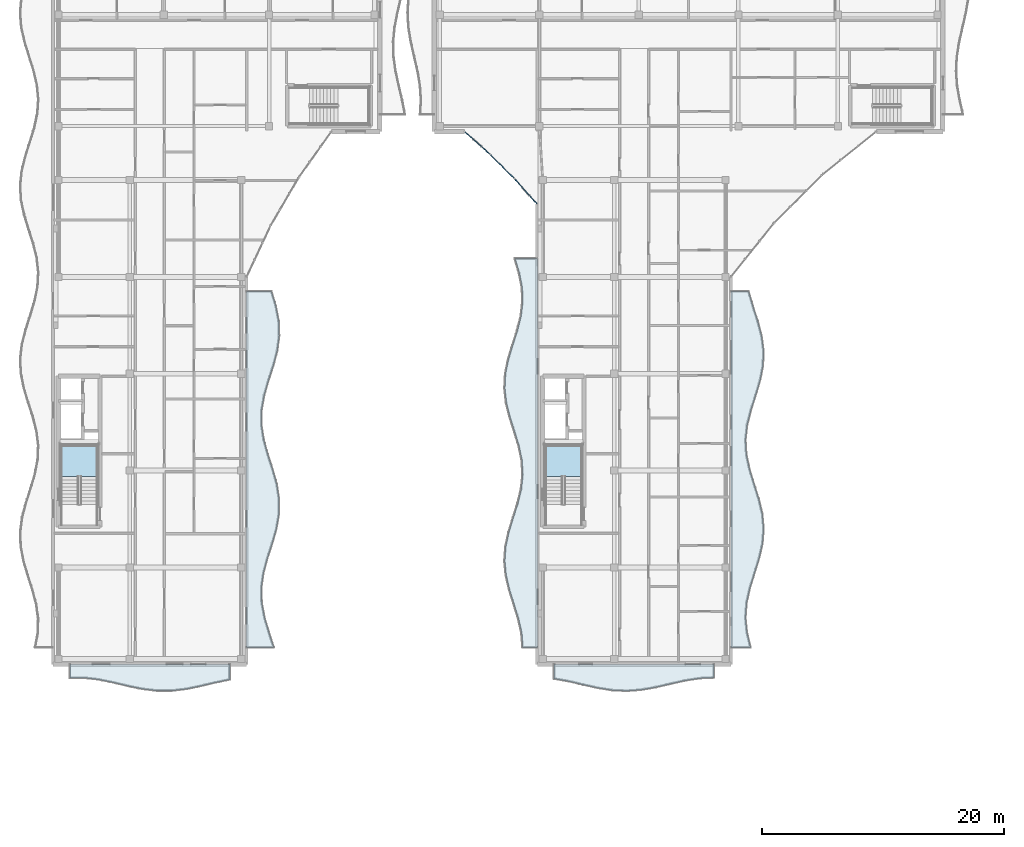
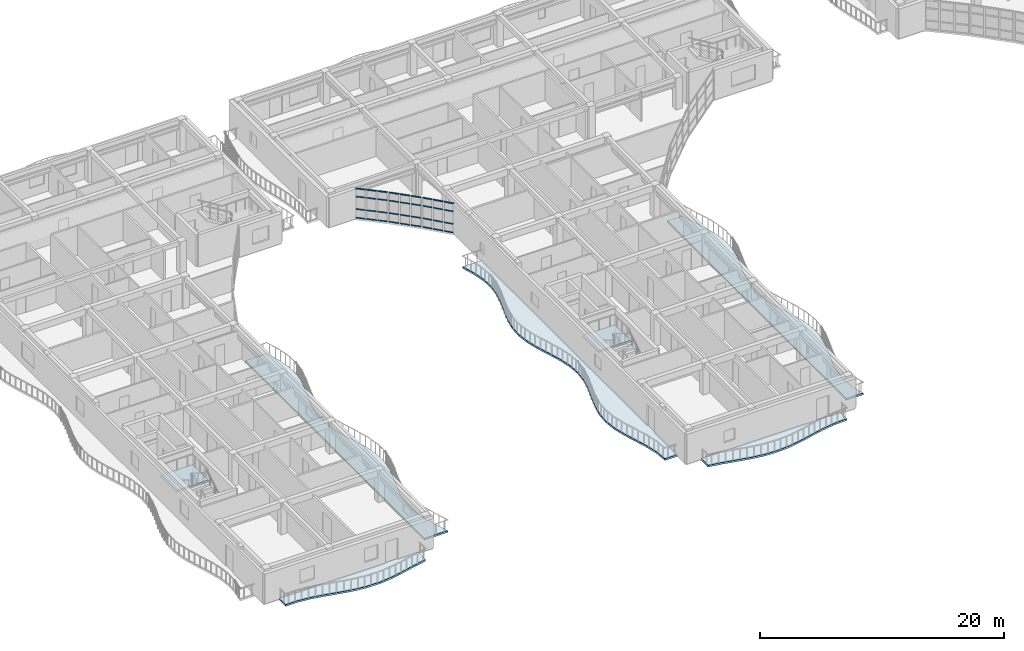
# One storey, part 28 of 79: 36 members, 7 slabs, 5 elements without a shape of their own.
"""IFC4 building model written with IfcOpenShell, lengths in metres."""

from ifc_helpers import new_model, si_unit, direction, frame, origin, origin_2d, place, context, subcontext, project, spatial, polyline, hollow_rectangle, outline, extrude, material, layer, layer_set, material_profile, profile_set, type_object, element, aggregate, save


model = new_model("IFC4")

# Units and contexts
model_context = context("Model", 3, precision=1e-05, world=origin(), true_north=direction((0.0, 1.0)))
body_context = subcontext(model_context, "Body", "Model", "MODEL_VIEW")
ifc_project = project(units=[si_unit("LENGTHUNIT", "METRE"), si_unit("AREAUNIT", "SQUARE_METRE"), si_unit("VOLUMEUNIT", "CUBIC_METRE"), si_unit("PLANEANGLEUNIT", "RADIAN"), si_unit("MASSUNIT", "GRAM", prefix="KILO")], contexts=[model_context])

# Site, building, storey
site_placement = place(None, origin())
site = spatial("IfcSite", under=ifc_project, at=site_placement, CompositionType="ELEMENT")
building_placement = place(site_placement, origin())
building = spatial("IfcBuilding", under=site, at=building_placement, Name="Keldmere Railside Commons", CompositionType="ELEMENT")
storey_placement = place(building_placement, frame((0.0, 0.0, 10.56005859375)))
storey = spatial("IfcBuildingStorey", under=building, at=storey_placement, Name="L03", CompositionType="ELEMENT", Elevation=10.56005859375)

# Curtain wall, members
ifc_material_1 = material(Name="Thermally Broken Aluminium", Category="aluminium")
ifc_layer_1 = layer(ifc_material_1, 0.159912109375, Name="Court Chord Wintergarden CW 4800x2850")
ifc_layer_set_1 = layer_set([ifc_layer_1], Name="Thermally Broken Aluminium")
curtain_wall_type_1 = type_object("IfcCurtainWallType", Name="Court Chord Wintergarden CW 4800x2850", PredefinedType="NOTDEFINED", material=ifc_layer_set_1)
curtain_wall_1_placement = place(storey_placement, origin())
curtain_wall_1 = element("IfcCurtainWall", 1, at=curtain_wall_1_placement, inside=storey, type_object=curtain_wall_type_1, Name="CW-12 CW-L03-046", PredefinedType="NOTDEFINED")
ifc_material_profile = material_profile(ifc_material_1, hollow_rectangle(XDim=0.06494140625, YDim=0.1201171875, WallThickness=0.00390625, at=origin_2d()), Name="ALU-TRAN-65x120")
ifc_profile_set = profile_set([ifc_material_profile], Name="Thermally Broken Aluminium")
member_type = type_object("IfcMemberType", Name="Unitised Curtain Wall Transom 65x120", PredefinedType="USERDEFINED", material=ifc_profile_set)
member_1_placement = place(storey_placement, frame((44.0595703125, 98.1533203125, 0.032470703125), z_axis=(-0.744569440646, 0.667545015752, 0.0), x_axis=(-0.667545015752, -0.744569440646, 0.0)))
member_1 = element("IfcMember", 2, at=member_1_placement, type_object=member_type, Name="CW-12 transom 1.1", ObjectType="TRANSOM", PredefinedType="USERDEFINED", context=body_context, shape_type="SweptSolid", body=[
    extrude(hollow_rectangle(XDim=0.06494140625, YDim=0.1201171875, WallThickness=0.00390625, at=origin_2d()), origin(), (0.0, 0.0, 1.0), 0.84619140625),
])
member_2_placement = place(storey_placement, frame((44.0595703125, 98.1533203125, 0.89990234375), z_axis=(-0.744569440646, 0.667545015752, 0.0), x_axis=(-0.667545015752, -0.744569440646, 0.0)))
member_2 = element("IfcMember", 3, at=member_2_placement, type_object=member_type, Name="CW-12 transom 1.2", ObjectType="TRANSOM", PredefinedType="USERDEFINED", context=body_context, shape_type="SweptSolid", body=[
    extrude(hollow_rectangle(XDim=0.06494140625, YDim=0.1201171875, WallThickness=0.00390625, at=origin_2d()), origin(), (0.0, 0.0, 1.0), 0.84619140625),
])
member_3_placement = place(storey_placement, frame((44.0595703125, 98.1533203125, 2.14990234375), z_axis=(-0.744569440646, 0.667545015752, 0.0), x_axis=(-0.667545015752, -0.744569440646, 0.0)))
member_3 = element("IfcMember", 4, at=member_3_placement, type_object=member_type, Name="CW-12 transom 1.3", ObjectType="TRANSOM", PredefinedType="USERDEFINED", context=body_context, shape_type="SweptSolid", body=[
    extrude(hollow_rectangle(XDim=0.06494140625, YDim=0.1201171875, WallThickness=0.00390625, at=origin_2d()), origin(), (0.0, 0.0, 1.0), 0.84619140625),
])
member_4_placement = place(storey_placement, frame((44.0595703125, 98.1533203125, 2.947509765625), z_axis=(-0.744569440646, 0.667545015752, 0.0), x_axis=(-0.667545015752, -0.744569440646, 0.0)))
member_4 = element("IfcMember", 5, at=member_4_placement, type_object=member_type, Name="CW-12 transom 1.4", ObjectType="TRANSOM", PredefinedType="USERDEFINED", context=body_context, shape_type="SweptSolid", body=[
    extrude(hollow_rectangle(XDim=0.06494140625, YDim=0.1201171875, WallThickness=0.00390625, at=origin_2d()), origin(), (0.0, 0.0, 1.0), 0.84619140625),
])
member_5_placement = place(storey_placement, frame((43.381103515625, 98.76171875, 0.032470703125), z_axis=(-0.744536109606, 0.667582190815, 0.0), x_axis=(-0.667582190815, -0.744536109606, 0.0)))
member_5 = element("IfcMember", 6, at=member_5_placement, type_object=member_type, Name="CW-12 transom 2.1", ObjectType="TRANSOM", PredefinedType="USERDEFINED", context=body_context, shape_type="SweptSolid", body=[
    extrude(hollow_rectangle(XDim=0.06494140625, YDim=0.1201171875, WallThickness=0.00390625, at=origin_2d()), origin(), (0.0, 0.0, 1.0), 0.87890625),
])
member_6_placement = place(storey_placement, frame((43.381103515625, 98.76171875, 0.89990234375), z_axis=(-0.744536109606, 0.667582190815, 0.0), x_axis=(-0.667582190815, -0.744536109606, 0.0)))
member_6 = element("IfcMember", 7, at=member_6_placement, type_object=member_type, Name="CW-12 transom 2.2", ObjectType="TRANSOM", PredefinedType="USERDEFINED", context=body_context, shape_type="SweptSolid", body=[
    extrude(hollow_rectangle(XDim=0.06494140625, YDim=0.1201171875, WallThickness=0.00390625, at=origin_2d()), origin(), (0.0, 0.0, 1.0), 0.87890625),
])
member_7_placement = place(storey_placement, frame((43.381103515625, 98.76171875, 2.14990234375), z_axis=(-0.744536109606, 0.667582190815, 0.0), x_axis=(-0.667582190815, -0.744536109606, 0.0)))
member_7 = element("IfcMember", 8, at=member_7_placement, type_object=member_type, Name="CW-12 transom 2.3", ObjectType="TRANSOM", PredefinedType="USERDEFINED", context=body_context, shape_type="SweptSolid", body=[
    extrude(hollow_rectangle(XDim=0.06494140625, YDim=0.1201171875, WallThickness=0.00390625, at=origin_2d()), origin(), (0.0, 0.0, 1.0), 0.87890625),
])
member_8_placement = place(storey_placement, frame((43.381103515625, 98.76171875, 2.947509765625), z_axis=(-0.744536109606, 0.667582190815, 0.0), x_axis=(-0.667582190815, -0.744536109606, 0.0)))
member_8 = element("IfcMember", 9, at=member_8_placement, type_object=member_type, Name="CW-12 transom 2.4", ObjectType="TRANSOM", PredefinedType="USERDEFINED", context=body_context, shape_type="SweptSolid", body=[
    extrude(hollow_rectangle(XDim=0.06494140625, YDim=0.1201171875, WallThickness=0.00390625, at=origin_2d()), origin(), (0.0, 0.0, 1.0), 0.87890625),
])
member_9_placement = place(storey_placement, frame((42.678466796875, 99.3916015625, 0.032470703125), z_axis=(-0.744569440646, 0.667545015752, 0.0), x_axis=(-0.667545015752, -0.744569440646, 0.0)))
member_9 = element("IfcMember", 10, at=member_9_placement, type_object=member_type, Name="CW-12 transom 3.1", ObjectType="TRANSOM", PredefinedType="USERDEFINED", context=body_context, shape_type="SweptSolid", body=[
    extrude(hollow_rectangle(XDim=0.06494140625, YDim=0.1201171875, WallThickness=0.00390625, at=origin_2d()), origin(), (0.0, 0.0, 1.0), 0.84619140625),
])
member_10_placement = place(storey_placement, frame((42.678466796875, 99.3916015625, 0.89990234375), z_axis=(-0.744569440646, 0.667545015752, 0.0), x_axis=(-0.667545015752, -0.744569440646, 0.0)))
member_10 = element("IfcMember", 11, at=member_10_placement, type_object=member_type, Name="CW-12 transom 3.2", ObjectType="TRANSOM", PredefinedType="USERDEFINED", context=body_context, shape_type="SweptSolid", body=[
    extrude(hollow_rectangle(XDim=0.06494140625, YDim=0.1201171875, WallThickness=0.00390625, at=origin_2d()), origin(), (0.0, 0.0, 1.0), 0.84619140625),
])
member_11_placement = place(storey_placement, frame((42.678466796875, 99.3916015625, 2.14990234375), z_axis=(-0.744569440646, 0.667545015752, 0.0), x_axis=(-0.667545015752, -0.744569440646, 0.0)))
member_11 = element("IfcMember", 12, at=member_11_placement, type_object=member_type, Name="CW-12 transom 3.3", ObjectType="TRANSOM", PredefinedType="USERDEFINED", context=body_context, shape_type="SweptSolid", body=[
    extrude(hollow_rectangle(XDim=0.06494140625, YDim=0.1201171875, WallThickness=0.00390625, at=origin_2d()), origin(), (0.0, 0.0, 1.0), 0.84619140625),
])
member_12_placement = place(storey_placement, frame((42.678466796875, 99.3916015625, 2.947509765625), z_axis=(-0.744569440646, 0.667545015752, 0.0), x_axis=(-0.667545015752, -0.744569440646, 0.0)))
member_12 = element("IfcMember", 13, at=member_12_placement, type_object=member_type, Name="CW-12 transom 3.4", ObjectType="TRANSOM", PredefinedType="USERDEFINED", context=body_context, shape_type="SweptSolid", body=[
    extrude(hollow_rectangle(XDim=0.06494140625, YDim=0.1201171875, WallThickness=0.00390625, at=origin_2d()), origin(), (0.0, 0.0, 1.0), 0.84619140625),
])
aggregate(curtain_wall_1, [member_1, member_2, member_3, member_4, member_5, member_6, member_7, member_8, member_9, member_10, member_11, member_12])

ifc_layer_2 = layer(ifc_material_1, 0.159912109375, Name="Court Chord Wintergarden CW 5400x2850")
ifc_layer_set_2 = layer_set([ifc_layer_2], Name="Thermally Broken Aluminium")
curtain_wall_type_2 = type_object("IfcCurtainWallType", Name="Court Chord Wintergarden CW 5400x2850", PredefinedType="NOTDEFINED", material=ifc_layer_set_2)
curtain_wall_2_placement = place(storey_placement, origin())
curtain_wall_2 = element("IfcCurtainWall", 14, at=curtain_wall_2_placement, inside=storey, type_object=curtain_wall_type_2, Name="CW-13 CW-L03-047", PredefinedType="NOTDEFINED")
member_13_placement = place(storey_placement, frame((46.06396484375, 96.154052734375, 0.032470703125), z_axis=(-0.707106781187, 0.707106781187, 0.0), x_axis=(-0.707106781187, -0.707106781187, 0.0)))
member_13 = element("IfcMember", 15, at=member_13_placement, type_object=member_type, Name="CW-13 transom 1.1", ObjectType="TRANSOM", PredefinedType="USERDEFINED", context=body_context, shape_type="SweptSolid", body=[
    extrude(hollow_rectangle(XDim=0.06494140625, YDim=0.1201171875, WallThickness=0.00390625, at=origin_2d()), origin(), (0.0, 0.0, 1.0), 0.84619140625),
])
member_14_placement = place(storey_placement, frame((46.06396484375, 96.154052734375, 0.89990234375), z_axis=(-0.707106781187, 0.707106781187, 0.0), x_axis=(-0.707106781187, -0.707106781187, 0.0)))
member_14 = element("IfcMember", 16, at=member_14_placement, type_object=member_type, Name="CW-13 transom 1.2", ObjectType="TRANSOM", PredefinedType="USERDEFINED", context=body_context, shape_type="SweptSolid", body=[
    extrude(hollow_rectangle(XDim=0.06494140625, YDim=0.1201171875, WallThickness=0.00390625, at=origin_2d()), origin(), (0.0, 0.0, 1.0), 0.84619140625),
])
member_15_placement = place(storey_placement, frame((46.06396484375, 96.154052734375, 2.14990234375), z_axis=(-0.707106781187, 0.707106781187, 0.0), x_axis=(-0.707106781187, -0.707106781187, 0.0)))
member_15 = element("IfcMember", 17, at=member_15_placement, type_object=member_type, Name="CW-13 transom 1.3", ObjectType="TRANSOM", PredefinedType="USERDEFINED", context=body_context, shape_type="SweptSolid", body=[
    extrude(hollow_rectangle(XDim=0.06494140625, YDim=0.1201171875, WallThickness=0.00390625, at=origin_2d()), origin(), (0.0, 0.0, 1.0), 0.84619140625),
])
member_16_placement = place(storey_placement, frame((46.06396484375, 96.154052734375, 2.947509765625), z_axis=(-0.707106781187, 0.707106781187, 0.0), x_axis=(-0.707106781187, -0.707106781187, 0.0)))
member_16 = element("IfcMember", 18, at=member_16_placement, type_object=member_type, Name="CW-13 transom 1.4", ObjectType="TRANSOM", PredefinedType="USERDEFINED", context=body_context, shape_type="SweptSolid", body=[
    extrude(hollow_rectangle(XDim=0.06494140625, YDim=0.1201171875, WallThickness=0.00390625, at=origin_2d()), origin(), (0.0, 0.0, 1.0), 0.84619140625),
])
member_17_placement = place(storey_placement, frame((45.419677734375, 96.79833984375, 0.032470703125), z_axis=(-0.707106781187, 0.707106781187, 0.0), x_axis=(-0.707106781187, -0.707106781187, 0.0)))
member_17 = element("IfcMember", 19, at=member_17_placement, type_object=member_type, Name="CW-13 transom 2.1", ObjectType="TRANSOM", PredefinedType="USERDEFINED", context=body_context, shape_type="SweptSolid", body=[
    extrude(hollow_rectangle(XDim=0.06494140625, YDim=0.1201171875, WallThickness=0.00390625, at=origin_2d()), origin(), (0.0, 0.0, 1.0), 0.878662109375),
])
member_18_placement = place(storey_placement, frame((45.419677734375, 96.79833984375, 0.89990234375), z_axis=(-0.707106781187, 0.707106781187, 0.0), x_axis=(-0.707106781187, -0.707106781187, 0.0)))
member_18 = element("IfcMember", 20, at=member_18_placement, type_object=member_type, Name="CW-13 transom 2.2", ObjectType="TRANSOM", PredefinedType="USERDEFINED", context=body_context, shape_type="SweptSolid", body=[
    extrude(hollow_rectangle(XDim=0.06494140625, YDim=0.1201171875, WallThickness=0.00390625, at=origin_2d()), origin(), (0.0, 0.0, 1.0), 0.878662109375),
])
member_19_placement = place(storey_placement, frame((45.419677734375, 96.79833984375, 2.14990234375), z_axis=(-0.707106781187, 0.707106781187, 0.0), x_axis=(-0.707106781187, -0.707106781187, 0.0)))
member_19 = element("IfcMember", 21, at=member_19_placement, type_object=member_type, Name="CW-13 transom 2.3", ObjectType="TRANSOM", PredefinedType="USERDEFINED", context=body_context, shape_type="SweptSolid", body=[
    extrude(hollow_rectangle(XDim=0.06494140625, YDim=0.1201171875, WallThickness=0.00390625, at=origin_2d()), origin(), (0.0, 0.0, 1.0), 0.878662109375),
])
member_20_placement = place(storey_placement, frame((45.419677734375, 96.79833984375, 2.947509765625), z_axis=(-0.707106781187, 0.707106781187, 0.0), x_axis=(-0.707106781187, -0.707106781187, 0.0)))
member_20 = element("IfcMember", 22, at=member_20_placement, type_object=member_type, Name="CW-13 transom 2.4", ObjectType="TRANSOM", PredefinedType="USERDEFINED", context=body_context, shape_type="SweptSolid", body=[
    extrude(hollow_rectangle(XDim=0.06494140625, YDim=0.1201171875, WallThickness=0.00390625, at=origin_2d()), origin(), (0.0, 0.0, 1.0), 0.878662109375),
])
member_21_placement = place(storey_placement, frame((44.75244140625, 97.465576171875, 0.032470703125), z_axis=(-0.707106781187, 0.707106781187, 0.0), x_axis=(-0.707106781187, -0.707106781187, 0.0)))
member_21 = element("IfcMember", 23, at=member_21_placement, type_object=member_type, Name="CW-13 transom 3.1", ObjectType="TRANSOM", PredefinedType="USERDEFINED", context=body_context, shape_type="SweptSolid", body=[
    extrude(hollow_rectangle(XDim=0.06494140625, YDim=0.1201171875, WallThickness=0.00390625, at=origin_2d()), origin(), (0.0, 0.0, 1.0), 0.84619140625),
])
member_22_placement = place(storey_placement, frame((44.75244140625, 97.465576171875, 0.89990234375), z_axis=(-0.707106781187, 0.707106781187, 0.0), x_axis=(-0.707106781187, -0.707106781187, 0.0)))
member_22 = element("IfcMember", 24, at=member_22_placement, type_object=member_type, Name="CW-13 transom 3.2", ObjectType="TRANSOM", PredefinedType="USERDEFINED", context=body_context, shape_type="SweptSolid", body=[
    extrude(hollow_rectangle(XDim=0.06494140625, YDim=0.1201171875, WallThickness=0.00390625, at=origin_2d()), origin(), (0.0, 0.0, 1.0), 0.84619140625),
])
member_23_placement = place(storey_placement, frame((44.75244140625, 97.465576171875, 2.14990234375), z_axis=(-0.707106781187, 0.707106781187, 0.0), x_axis=(-0.707106781187, -0.707106781187, 0.0)))
member_23 = element("IfcMember", 25, at=member_23_placement, type_object=member_type, Name="CW-13 transom 3.3", ObjectType="TRANSOM", PredefinedType="USERDEFINED", context=body_context, shape_type="SweptSolid", body=[
    extrude(hollow_rectangle(XDim=0.06494140625, YDim=0.1201171875, WallThickness=0.00390625, at=origin_2d()), origin(), (0.0, 0.0, 1.0), 0.84619140625),
])
member_24_placement = place(storey_placement, frame((44.75244140625, 97.465576171875, 2.947509765625), z_axis=(-0.707106781187, 0.707106781187, 0.0), x_axis=(-0.707106781187, -0.707106781187, 0.0)))
member_24 = element("IfcMember", 26, at=member_24_placement, type_object=member_type, Name="CW-13 transom 3.4", ObjectType="TRANSOM", PredefinedType="USERDEFINED", context=body_context, shape_type="SweptSolid", body=[
    extrude(hollow_rectangle(XDim=0.06494140625, YDim=0.1201171875, WallThickness=0.00390625, at=origin_2d()), origin(), (0.0, 0.0, 1.0), 0.84619140625),
])
aggregate(curtain_wall_2, [member_13, member_14, member_15, member_16, member_17, member_18, member_19, member_20, member_21, member_22, member_23, member_24])

curtain_wall_3_placement = place(storey_placement, origin())
curtain_wall_3 = element("IfcCurtainWall", 27, at=curtain_wall_3_placement, inside=storey, type_object=curtain_wall_type_1, Name="CW-12 CW-L03-048", PredefinedType="NOTDEFINED")
member_25_placement = place(storey_placement, frame((47.95654296875, 94.04833984375, 0.032470703125), z_axis=(-0.667545015752, 0.744569440646, 0.0), x_axis=(-0.744569440646, -0.667545015752, 0.0)))
member_25 = element("IfcMember", 28, at=member_25_placement, type_object=member_type, Name="CW-12 transom 1.1", ObjectType="TRANSOM", PredefinedType="USERDEFINED", context=body_context, shape_type="SweptSolid", body=[
    extrude(hollow_rectangle(XDim=0.06494140625, YDim=0.1201171875, WallThickness=0.00390625, at=origin_2d()), origin(), (0.0, 0.0, 1.0), 0.84619140625),
])
member_26_placement = place(storey_placement, frame((47.95654296875, 94.04833984375, 0.89990234375), z_axis=(-0.667545015752, 0.744569440646, 0.0), x_axis=(-0.744569440646, -0.667545015752, 0.0)))
member_26 = element("IfcMember", 29, at=member_26_placement, type_object=member_type, Name="CW-12 transom 1.2", ObjectType="TRANSOM", PredefinedType="USERDEFINED", context=body_context, shape_type="SweptSolid", body=[
    extrude(hollow_rectangle(XDim=0.06494140625, YDim=0.1201171875, WallThickness=0.00390625, at=origin_2d()), origin(), (0.0, 0.0, 1.0), 0.84619140625),
])
member_27_placement = place(storey_placement, frame((47.95654296875, 94.04833984375, 2.14990234375), z_axis=(-0.667545015752, 0.744569440646, 0.0), x_axis=(-0.744569440646, -0.667545015752, 0.0)))
member_27 = element("IfcMember", 30, at=member_27_placement, type_object=member_type, Name="CW-12 transom 1.3", ObjectType="TRANSOM", PredefinedType="USERDEFINED", context=body_context, shape_type="SweptSolid", body=[
    extrude(hollow_rectangle(XDim=0.06494140625, YDim=0.1201171875, WallThickness=0.00390625, at=origin_2d()), origin(), (0.0, 0.0, 1.0), 0.84619140625),
])
member_28_placement = place(storey_placement, frame((47.95654296875, 94.04833984375, 2.947509765625), z_axis=(-0.667545015752, 0.744569440646, 0.0), x_axis=(-0.744569440646, -0.667545015752, 0.0)))
member_28 = element("IfcMember", 31, at=member_28_placement, type_object=member_type, Name="CW-12 transom 1.4", ObjectType="TRANSOM", PredefinedType="USERDEFINED", context=body_context, shape_type="SweptSolid", body=[
    extrude(hollow_rectangle(XDim=0.06494140625, YDim=0.1201171875, WallThickness=0.00390625, at=origin_2d()), origin(), (0.0, 0.0, 1.0), 0.84619140625),
])
member_29_placement = place(storey_placement, frame((47.348388671875, 94.726806640625, 0.032470703125), z_axis=(-0.667582190815, 0.744536109606, 0.0), x_axis=(-0.744536109606, -0.667582190815, 0.0)))
member_29 = element("IfcMember", 32, at=member_29_placement, type_object=member_type, Name="CW-12 transom 2.1", ObjectType="TRANSOM", PredefinedType="USERDEFINED", context=body_context, shape_type="SweptSolid", body=[
    extrude(hollow_rectangle(XDim=0.06494140625, YDim=0.1201171875, WallThickness=0.00390625, at=origin_2d()), origin(), (0.0, 0.0, 1.0), 0.87890625),
])
member_30_placement = place(storey_placement, frame((47.348388671875, 94.726806640625, 0.89990234375), z_axis=(-0.667582190815, 0.744536109606, 0.0), x_axis=(-0.744536109606, -0.667582190815, 0.0)))
member_30 = element("IfcMember", 33, at=member_30_placement, type_object=member_type, Name="CW-12 transom 2.2", ObjectType="TRANSOM", PredefinedType="USERDEFINED", context=body_context, shape_type="SweptSolid", body=[
    extrude(hollow_rectangle(XDim=0.06494140625, YDim=0.1201171875, WallThickness=0.00390625, at=origin_2d()), origin(), (0.0, 0.0, 1.0), 0.87890625),
])
member_31_placement = place(storey_placement, frame((47.348388671875, 94.726806640625, 2.14990234375), z_axis=(-0.667582190815, 0.744536109606, 0.0), x_axis=(-0.744536109606, -0.667582190815, 0.0)))
member_31 = element("IfcMember", 34, at=member_31_placement, type_object=member_type, Name="CW-12 transom 2.3", ObjectType="TRANSOM", PredefinedType="USERDEFINED", context=body_context, shape_type="SweptSolid", body=[
    extrude(hollow_rectangle(XDim=0.06494140625, YDim=0.1201171875, WallThickness=0.00390625, at=origin_2d()), origin(), (0.0, 0.0, 1.0), 0.87890625),
])
member_32_placement = place(storey_placement, frame((47.348388671875, 94.726806640625, 2.947509765625), z_axis=(-0.667582190815, 0.744536109606, 0.0), x_axis=(-0.744536109606, -0.667582190815, 0.0)))
member_32 = element("IfcMember", 35, at=member_32_placement, type_object=member_type, Name="CW-12 transom 2.4", ObjectType="TRANSOM", PredefinedType="USERDEFINED", context=body_context, shape_type="SweptSolid", body=[
    extrude(hollow_rectangle(XDim=0.06494140625, YDim=0.1201171875, WallThickness=0.00390625, at=origin_2d()), origin(), (0.0, 0.0, 1.0), 0.87890625),
])
member_33_placement = place(storey_placement, frame((46.71826171875, 95.429443359375, 0.032470703125), z_axis=(-0.667545015752, 0.744569440646, 0.0), x_axis=(-0.744569440646, -0.667545015752, 0.0)))
member_33 = element("IfcMember", 36, at=member_33_placement, type_object=member_type, Name="CW-12 transom 3.1", ObjectType="TRANSOM", PredefinedType="USERDEFINED", context=body_context, shape_type="SweptSolid", body=[
    extrude(hollow_rectangle(XDim=0.06494140625, YDim=0.1201171875, WallThickness=0.00390625, at=origin_2d()), origin(), (0.0, 0.0, 1.0), 0.84619140625),
])
member_34_placement = place(storey_placement, frame((46.71826171875, 95.429443359375, 0.89990234375), z_axis=(-0.667545015752, 0.744569440646, 0.0), x_axis=(-0.744569440646, -0.667545015752, 0.0)))
member_34 = element("IfcMember", 37, at=member_34_placement, type_object=member_type, Name="CW-12 transom 3.2", ObjectType="TRANSOM", PredefinedType="USERDEFINED", context=body_context, shape_type="SweptSolid", body=[
    extrude(hollow_rectangle(XDim=0.06494140625, YDim=0.1201171875, WallThickness=0.00390625, at=origin_2d()), origin(), (0.0, 0.0, 1.0), 0.84619140625),
])
member_35_placement = place(storey_placement, frame((46.71826171875, 95.429443359375, 2.14990234375), z_axis=(-0.667545015752, 0.744569440646, 0.0), x_axis=(-0.744569440646, -0.667545015752, 0.0)))
member_35 = element("IfcMember", 38, at=member_35_placement, type_object=member_type, Name="CW-12 transom 3.3", ObjectType="TRANSOM", PredefinedType="USERDEFINED", context=body_context, shape_type="SweptSolid", body=[
    extrude(hollow_rectangle(XDim=0.06494140625, YDim=0.1201171875, WallThickness=0.00390625, at=origin_2d()), origin(), (0.0, 0.0, 1.0), 0.84619140625),
])
member_36_placement = place(storey_placement, frame((46.71826171875, 95.429443359375, 2.947509765625), z_axis=(-0.667545015752, 0.744569440646, 0.0), x_axis=(-0.744569440646, -0.667545015752, 0.0)))
member_36 = element("IfcMember", 39, at=member_36_placement, type_object=member_type, Name="CW-12 transom 3.4", ObjectType="TRANSOM", PredefinedType="USERDEFINED", context=body_context, shape_type="SweptSolid", body=[
    extrude(hollow_rectangle(XDim=0.06494140625, YDim=0.1201171875, WallThickness=0.00390625, at=origin_2d()), origin(), (0.0, 0.0, 1.0), 0.84619140625),
])
aggregate(curtain_wall_3, [member_25, member_26, member_27, member_28, member_29, member_30, member_31, member_32, member_33, member_34, member_35, member_36])

# Stair, slab
ifc_material_2 = material(Name="Concrete H-30 (C30/37)", Category="concrete")
stair_type = type_object("IfcStairType", Name="Residential Core Dogleg Stair 1450", PredefinedType="HALF_TURN_STAIR", material=ifc_material_2)
stair_1_placement = place(storey_placement, origin())
stair_1 = element("IfcStair", 40, at=stair_1_placement, inside=storey, type_object=stair_type, Name="L03 Block D Primary Escape Stair 1", PredefinedType="HALF_TURN_STAIR")
ifc_layer_3 = layer(ifc_material_2, 0.199951171875, Name="Enclosed Stair Landing Slab 200")
ifc_layer_set_3 = layer_set([ifc_layer_3], Name="Concrete H-30 (C30/37)")
slab_type_1 = type_object("IfcSlabType", Name="Enclosed Stair Landing Slab 200", PredefinedType="LANDING", material=ifc_layer_set_3)
slab_1_placement = place(storey_placement, frame((0.0, 0.0, 1.39990234375)))
slab_1 = element("IfcSlab", 41, at=slab_1_placement, type_object=slab_type_1, Name="ST-D1 landing 1", PredefinedType="LANDING", context=body_context, shape_type="SweptSolid", body=[
    extrude(outline(polyline([(11.699951171875, 71.52001953125), (11.699951171875, 74.10009765625), (8.64990234375, 74.10009765625), (8.64990234375, 71.52001953125), (11.699951171875, 71.52001953125)])), origin(), (0.0, 0.0, 1.0), 0.199951171875),
])
aggregate(stair_1, [slab_1])

stair_2_placement = place(storey_placement, origin())
stair_2 = element("IfcStair", 42, at=stair_2_placement, inside=storey, type_object=stair_type, Name="L03 Block C Primary Escape Stair 1", PredefinedType="HALF_TURN_STAIR")
slab_2_placement = place(storey_placement, frame((0.0, 0.0, 1.39990234375)))
slab_2 = element("IfcSlab", 43, at=slab_2_placement, type_object=slab_type_1, Name="ST-C1 landing 1", PredefinedType="LANDING", context=body_context, shape_type="SweptSolid", body=[
    extrude(outline(polyline([(51.699951171875, 71.52001953125), (51.699951171875, 74.10009765625), (48.64990234375, 74.10009765625), (48.64990234375, 71.52001953125), (51.699951171875, 71.52001953125)])), origin(), (0.0, 0.0, 1.0), 0.199951171875),
])
aggregate(stair_2, [slab_2])

# Slabs
ifc_material_3 = material(Name="White Precast Concrete H-35 (C35/45)", Category="concrete")
ifc_layer_4 = layer(ifc_material_3, 0.179931640625, Name="Sinusoidal Wave Balcony Slab 180")
ifc_layer_set_4 = layer_set([ifc_layer_4], Name="White Precast Concrete H-35 (C35/45)")
slab_type_2 = type_object("IfcSlabType", Name="Sinusoidal Wave Balcony Slab 180", PredefinedType="FLOOR", material=ifc_layer_set_4)
slab_3_placement = place(storey_placement, frame((0.0, 0.0, -0.18017578125)))
element("IfcSlab", 44, at=slab_3_placement, inside=storey, type_object=slab_type_2, Name="WB-1 D L03 CE Wave Balcony", PredefinedType="FLOOR", context=body_context, shape_type="SweptSolid", body=[
    extrude(outline(polyline([(26.236083984375, 57.39990234375), (25.84326171875, 58.625), (25.47998046875, 59.85009765625), (25.247802734375, 61.074951171875), (25.21142578125, 62.300048828125), (25.38134765625, 63.52490234375), (25.709716796875, 64.75), (26.10498046875, 65.97509765625), (26.457275390625, 67.199951171875), (26.66796875, 68.425048828125), (26.67822265625, 69.64990234375), (26.485595703125, 70.875), (26.143310546875, 72.10009765625), (25.747314453125, 73.324951171875), (25.40771484375, 74.550048828125), (25.219482421875, 75.77490234375), (25.235107421875, 77.0), (25.449951171875, 78.22509765625), (25.804443359375, 79.449951171875), (26.19970703125, 80.675048828125), (26.525146484375, 81.89990234375), (26.690185546875, 83.125), (26.648681640625, 84.35009765625), (26.412353515625, 85.574951171875), (26.047119140625, 86.800048828125), (24.0, 86.800048828125), (24.0, 85.574951171875), (24.0, 84.35009765625), (24.0, 83.125), (24.0, 81.89990234375), (24.0, 80.675048828125), (24.0, 79.449951171875), (24.0, 78.22509765625), (24.0, 77.0), (24.0, 75.77490234375), (24.0, 74.550048828125), (24.0, 73.324951171875), (24.0, 72.10009765625), (24.0, 70.875), (24.0, 69.64990234375), (24.0, 68.425048828125), (24.0, 67.199951171875), (24.0, 65.97509765625), (24.0, 64.75), (24.0, 63.52490234375), (24.0, 62.300048828125), (24.0, 61.074951171875), (24.0, 59.85009765625), (24.0, 58.625), (24.0, 57.39990234375), (26.236083984375, 57.39990234375)])), origin(), (0.0, 0.0, 1.0), 0.18017578125),
])
slab_4_placement = place(storey_placement, frame((0.0, 0.0, -0.18017578125)))
element("IfcSlab", 45, at=slab_4_placement, inside=storey, type_object=slab_type_2, Name="WB-1 D L03 S Wave Balcony", PredefinedType="FLOOR", context=body_context, shape_type="SweptSolid", body=[
    extrude(outline(polyline([(9.39990234375, 54.881103515625), (10.60009765625, 54.88134765625), (11.800048828125, 54.739013671875), (13.0, 54.49267578125), (14.199951171875, 54.2080078125), (15.39990234375, 53.961181640625), (16.60009765625, 53.81884765625), (17.800048828125, 53.818603515625), (19.0, 53.9609375), (20.199951171875, 54.207275390625), (21.39990234375, 54.491943359375), (22.60009765625, 54.73876953125), (22.60009765625, 56.0), (21.39990234375, 56.0), (20.199951171875, 56.0), (19.0, 56.0), (17.800048828125, 56.0), (16.60009765625, 56.0), (15.39990234375, 56.0), (14.199951171875, 56.0), (13.0, 56.0), (11.800048828125, 56.0), (10.60009765625, 56.0), (9.39990234375, 56.0), (9.39990234375, 54.881103515625)])), origin(), (0.0, 0.0, 1.0), 0.18017578125),
])
slab_5_placement = place(storey_placement, frame((0.0, 0.0, -0.18017578125)))
element("IfcSlab", 46, at=slab_5_placement, inside=storey, type_object=slab_type_2, Name="WB-1 C L03 CE Wave Balcony", PredefinedType="FLOOR", context=body_context, shape_type="SweptSolid", body=[
    extrude(outline(polyline([(65.6181640625, 57.39990234375), (65.32177734375, 58.625), (65.20068359375, 59.85009765625), (65.288818359375, 61.074951171875), (65.56103515625, 62.300048828125), (65.94189453125, 63.52490234375), (66.3251953125, 64.75), (66.603759765625, 65.97509765625), (66.69970703125, 67.199951171875), (66.5869140625, 68.425048828125), (66.296142578125, 69.64990234375), (65.908935546875, 70.875), (65.533203125, 72.10009765625), (65.273681640625, 73.324951171875), (65.202880859375, 74.550048828125), (65.340576171875, 75.77490234375), (65.648193359375, 77.0), (66.0400390625, 78.22509765625), (66.40673828125, 79.449951171875), (66.64599609375, 80.675048828125), (66.691162109375, 81.89990234375), (66.529541015625, 83.125), (66.206298828125, 84.35009765625), (65.8115234375, 85.574951171875), (65.455322265625, 86.800048828125), (64.0, 86.800048828125), (64.0, 85.574951171875), (64.0, 84.35009765625), (64.0, 83.125), (64.0, 81.89990234375), (64.0, 80.675048828125), (64.0, 79.449951171875), (64.0, 78.22509765625), (64.0, 77.0), (64.0, 75.77490234375), (64.0, 74.550048828125), (64.0, 73.324951171875), (64.0, 72.10009765625), (64.0, 70.875), (64.0, 69.64990234375), (64.0, 68.425048828125), (64.0, 67.199951171875), (64.0, 65.97509765625), (64.0, 64.75), (64.0, 63.52490234375), (64.0, 62.300048828125), (64.0, 61.074951171875), (64.0, 59.85009765625), (64.0, 58.625), (64.0, 57.39990234375), (65.6181640625, 57.39990234375)])), origin(), (0.0, 0.0, 1.0), 0.18017578125),
])
slab_6_placement = place(storey_placement, frame((0.0, 0.0, -0.18017578125)))
element("IfcSlab", 47, at=slab_6_placement, inside=storey, type_object=slab_type_2, Name="WB-1 C L03 CW Wave Balcony", PredefinedType="FLOOR", context=body_context, shape_type="SweptSolid", body=[
    extrude(outline(polyline([(48.0, 57.39990234375), (48.0, 58.5888671875), (48.0, 59.77783203125), (48.0, 60.966796875), (48.0, 62.155517578125), (48.0, 63.344482421875), (48.0, 64.533203125), (48.0, 65.72216796875), (48.0, 66.9111328125), (48.0, 68.10009765625), (48.0, 69.288818359375), (48.0, 70.477783203125), (48.0, 71.666748046875), (48.0, 72.855712890625), (48.0, 74.04443359375), (48.0, 75.2333984375), (48.0, 76.422119140625), (48.0, 77.611083984375), (48.0, 78.800048828125), (48.0, 79.989013671875), (48.0, 81.177734375), (48.0, 82.36669921875), (48.0, 83.5556640625), (48.0, 84.744384765625), (48.0, 85.933349609375), (48.0, 87.122314453125), (48.0, 88.31103515625), (48.0, 89.5), (46.156982421875, 89.5), (46.510986328125, 88.31103515625), (46.74365234375, 87.122314453125), (46.793701171875, 85.933349609375), (46.648193359375, 84.744384765625), (46.34521484375, 83.5556640625), (45.964599609375, 82.36669921875), (45.6064453125, 81.177734375), (45.364990234375, 79.989013671875), (45.3037109375, 78.800048828125), (45.43896484375, 77.611083984375), (45.73486328125, 76.422119140625), (46.11376953125, 75.2333984375), (46.475830078125, 74.04443359375), (46.725830078125, 72.855712890625), (46.798095703125, 71.666748046875), (46.673583984375, 70.477783203125), (46.384765625, 69.288818359375), (46.008056640625, 68.10009765625), (45.642333984375, 66.9111328125), (45.3837890625, 65.72216796875), (45.300537109375, 64.533203125), (45.414794921875, 63.344482421875), (45.69580078125, 62.155517578125), (46.0703125, 60.966796875), (46.439208984375, 59.77783203125), (46.705810546875, 58.5888671875), (46.7998046875, 57.39990234375), (48.0, 57.39990234375)])), origin(), (0.0, 0.0, 1.0), 0.18017578125),
])
slab_7_placement = place(storey_placement, frame((0.0, 0.0, -0.18017578125)))
element("IfcSlab", 48, at=slab_7_placement, inside=storey, type_object=slab_type_2, Name="WB-1 C L03 S Wave Balcony", PredefinedType="FLOOR", context=body_context, shape_type="SweptSolid", body=[
    extrude(outline(polyline([(49.39990234375, 54.8076171875), (50.60009765625, 54.593994140625), (51.800048828125, 54.314697265625), (53.0, 54.045166015625), (54.199951171875, 53.857177734375), (55.39990234375, 53.801025390625), (56.60009765625, 53.892333984375), (57.800048828125, 54.10595703125), (59.0, 54.38525390625), (60.199951171875, 54.65478515625), (61.39990234375, 54.843017578125), (62.60009765625, 54.89892578125), (62.60009765625, 56.0), (61.39990234375, 56.0), (60.199951171875, 56.0), (59.0, 56.0), (57.800048828125, 56.0), (56.60009765625, 56.0), (55.39990234375, 56.0), (54.199951171875, 56.0), (53.0, 56.0), (51.800048828125, 56.0), (50.60009765625, 56.0), (49.39990234375, 56.0), (49.39990234375, 54.8076171875)])), origin(), (0.0, 0.0, 1.0), 0.18017578125),
])

save(model, "model.ifc")
